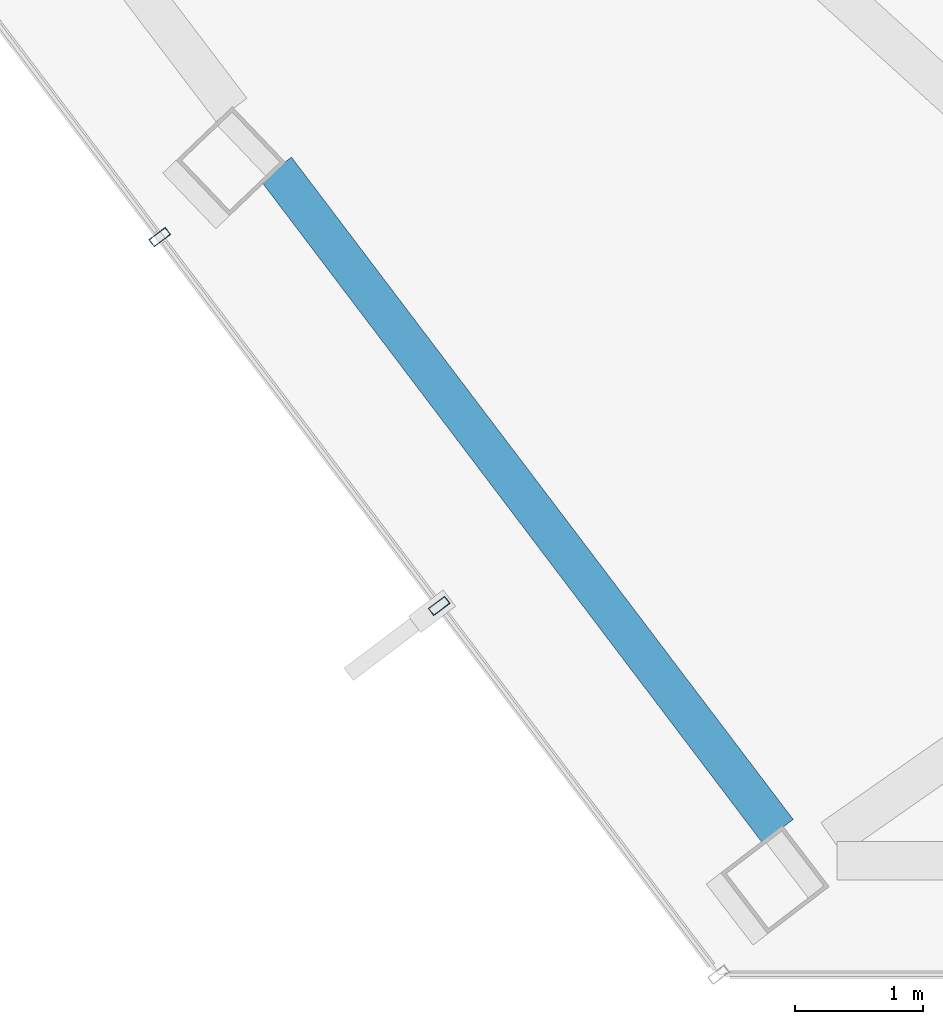
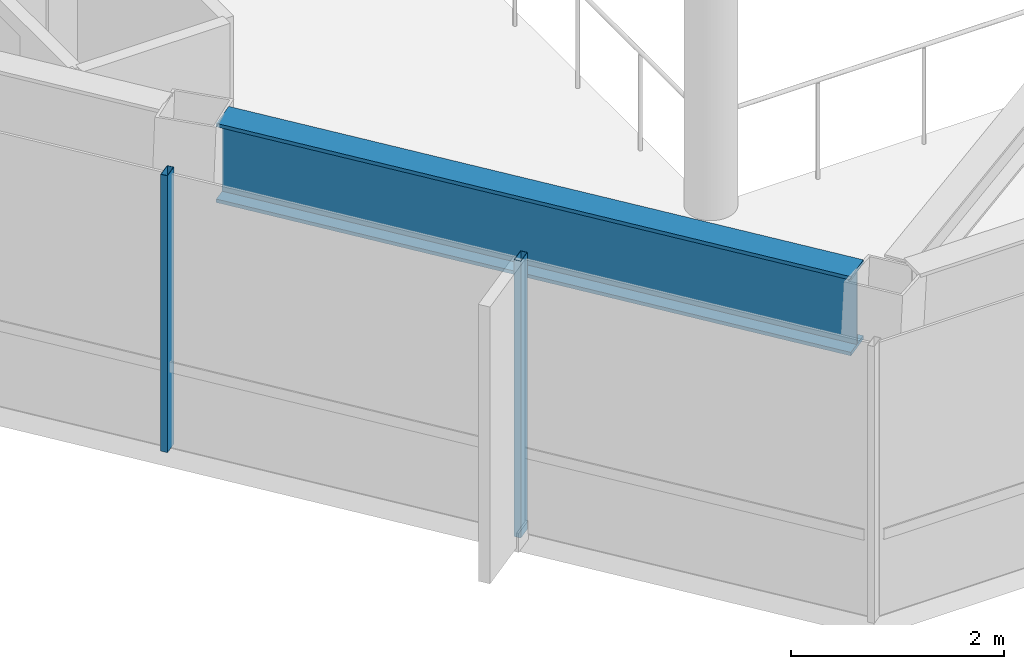
# One storey, part 2 of 25: 2 members, 1 beam, 1 element without a shape of its own.
"""IFC4 building model written with IfcOpenShell, lengths in metres."""

from ifc_helpers import new_model, si_unit, direction, frame, origin, origin_2d, place, context, subcontext, project, spatial, hollow_rectangle, i_section, extrude, material, layer, layer_set, material_profile, profile_set, type_object, element, aggregate, save


model = new_model("IFC4")

# Units and contexts
model_context = context("Model", 3, precision=1e-05, world=origin(), true_north=direction((0.0, 1.0)))
body_context = subcontext(model_context, "Body", "Model", "MODEL_VIEW")
ifc_project = project(units=[si_unit("LENGTHUNIT", "METRE"), si_unit("AREAUNIT", "SQUARE_METRE"), si_unit("VOLUMEUNIT", "CUBIC_METRE"), si_unit("PLANEANGLEUNIT", "RADIAN"), si_unit("MASSUNIT", "GRAM", prefix="KILO")], contexts=[model_context])

# Site, building, storey
site_placement = place(None, origin())
site = spatial("IfcSite", under=ifc_project, at=site_placement, CompositionType="ELEMENT")
building_placement = place(site_placement, origin())
building = spatial("IfcBuilding", under=site, at=building_placement, Name="Zarrinselat Tower", CompositionType="ELEMENT")
storey_placement = place(building_placement, frame((0.0, 0.0, 246.159912109375)))
storey = spatial("IfcBuildingStorey", under=building, at=storey_placement, Name="L62", CompositionType="ELEMENT", Elevation=246.159912109375)

# Beam
ifc_material_1 = material(Name="Steel S460M", Category="steel")
ifc_material_profile_1 = material_profile(ifc_material_1, i_section(OverallWidth=0.302001953125, OverallDepth=0.909912109375, WebThickness=0.02099609375, FlangeThickness=0.0400390625, at=origin_2d()), Name="HEM 900")
ifc_profile_set_1 = profile_set([ifc_material_profile_1], Name="Steel S460M")
beam_type = type_object("IfcBeamType", Name="BM-HEM900", PredefinedType="BEAM", material=ifc_profile_set_1)
beam_placement = place(storey_placement, frame((29.490234375, 24.848388671875, 2.72509765625), z_axis=(0.603856237533, -0.797093246987, 0.0), x_axis=(0.797093246987, 0.603856237533, 0.0)))
element("IfcBeam", 1, at=beam_placement, inside=storey, type_object=beam_type, Name="L62 Perimeter Spandrel Girder SP09", PredefinedType="BEAM", context=body_context, shape_type="SweptSolid", body=[
    extrude(i_section(OverallWidth=0.302001953125, OverallDepth=0.909912109375, WebThickness=0.02099609375, FlangeThickness=0.0400390625, at=origin_2d()), origin(), (0.0, 0.0, 1.0), 6.4814453125),
])

# Curtain wall, members
ifc_material_2 = material(Name="Extruded Aluminium Alloy EN AW-6063 T6", Category="aluminium")
ifc_layer = layer(ifc_material_2, 0.169921875)
ifc_layer_set = layer_set([ifc_layer], Name="Extruded Aluminium Alloy EN AW-6063 T6")
curtain_wall_type = type_object("IfcCurtainWallType", Name="CWS-RES", PredefinedType="NOTDEFINED", material=ifc_layer_set)
curtain_wall_placement = place(storey_placement, origin())
curtain_wall = element("IfcCurtainWall", 2, at=curtain_wall_placement, inside=storey, type_object=curtain_wall_type, Name="L62 Unitised Curtain Wall CW-L62-E03", PredefinedType="NOTDEFINED")
ifc_material_3 = material(Name="Extruded Aluminium Alloy EN AW-6063 T6", Category="aluminium")
ifc_material_profile_2 = material_profile(ifc_material_3, hollow_rectangle(XDim=0.070068359375, YDim=0.159912109375, WallThickness=0.00390625, at=origin_2d()), Name="RHS 160x70x4")
ifc_profile_set_2 = profile_set([ifc_material_profile_2], Name="Extruded Aluminium Alloy EN AW-6063 T6")
member_type = type_object("IfcMemberType", Name="MEM-CW-MUL2", PredefinedType="MULLION", material=ifc_profile_set_2)
member_1_placement = place(storey_placement, frame((28.583251953125, 24.31591796875, 0.0), z_axis=(0.0, 0.0, 1.0), x_axis=(0.603857888062, -0.797091996588, 0.0)))
member_1 = element("IfcMember", 3, at=member_1_placement, type_object=member_type, Name="CW-L62-E03 Mullion 6", PredefinedType="MULLION", context=body_context, shape_type="SweptSolid", body=[
    extrude(hollow_rectangle(XDim=0.070068359375, YDim=0.159912109375, WallThickness=0.00390625, at=origin_2d()), origin(), (0.0, 0.0, 1.0), 3.18017578125),
])
member_2_placement = place(storey_placement, frame((30.762451171875, 21.439208984375, 0.0), z_axis=(0.0, 0.0, 1.0), x_axis=(0.603857888062, -0.797091996588, 0.0)))
member_2 = element("IfcMember", 4, at=member_2_placement, type_object=member_type, Name="CW-L62-E03 Mullion 7", PredefinedType="MULLION", context=body_context, shape_type="SweptSolid", body=[
    extrude(hollow_rectangle(XDim=0.070068359375, YDim=0.159912109375, WallThickness=0.00390625, at=origin_2d()), origin(), (0.0, 0.0, 1.0), 3.18017578125),
])
aggregate(curtain_wall, [member_1, member_2])

save(model, "model.ifc")
